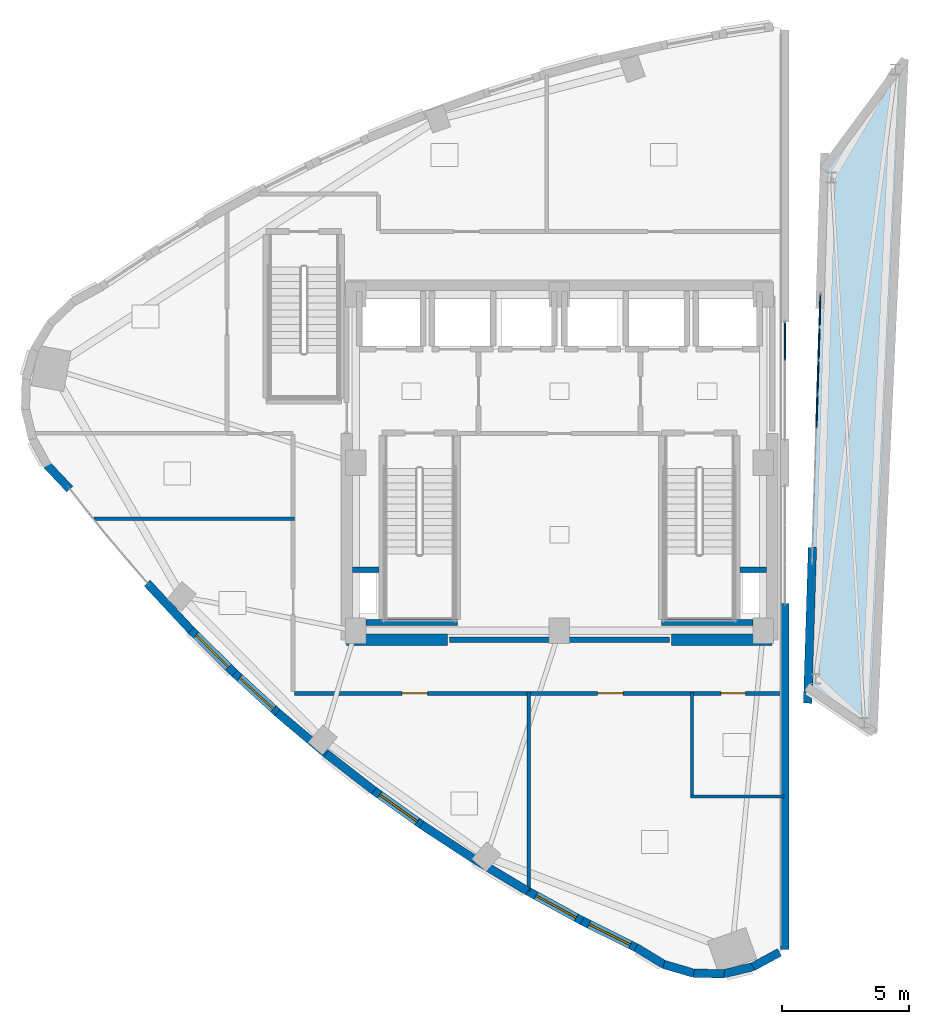
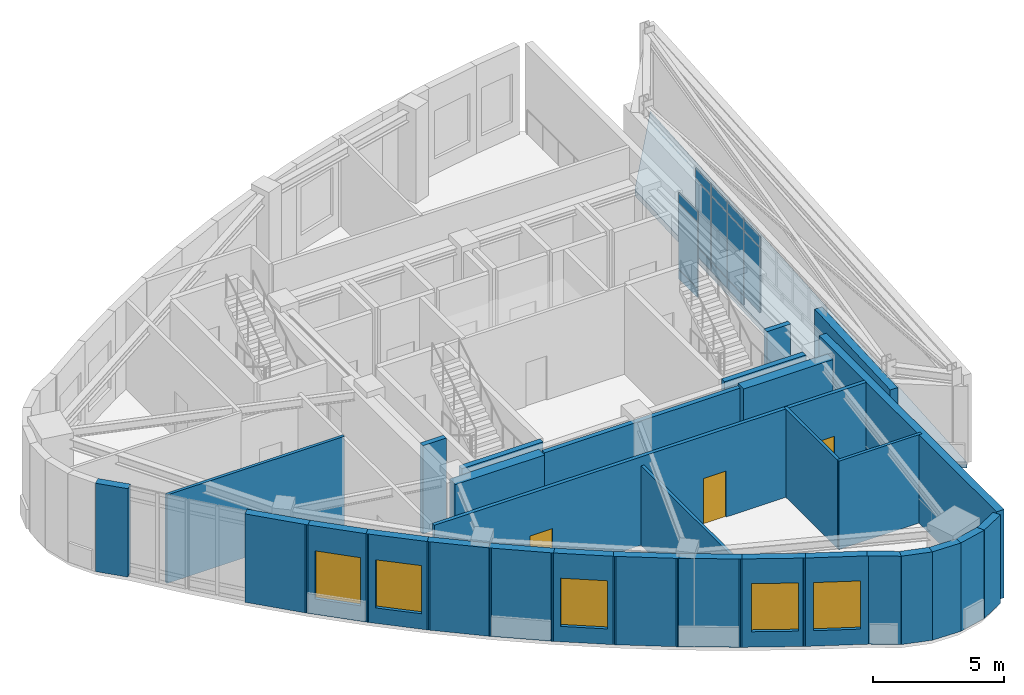
# One storey, part 13 of 19: 30 walls, 14 plates, 5 windows, 3 doors, 1 slab, 8 openings, 2 elements without a shape of their own.
"""IFC4 building model written with IfcOpenShell, lengths in metres."""

from ifc_helpers import new_model, si_unit, direction, frame, frame_2d, origin, origin_2d, place, context, subcontext, project, spatial, polyline, rectangle, outline, extrude, material, layer, layer_set, type_object, element, fill, aggregate, save


model = new_model("IFC4")

# Units and contexts
model_context = context("Model", 3, precision=1e-05, world=origin(), true_north=direction((0.0, 1.0)))
body_context = subcontext(model_context, "Body", "Model", "MODEL_VIEW")
ifc_project = project(units=[si_unit("LENGTHUNIT", "METRE"), si_unit("AREAUNIT", "SQUARE_METRE"), si_unit("VOLUMEUNIT", "CUBIC_METRE"), si_unit("PLANEANGLEUNIT", "RADIAN"), si_unit("MASSUNIT", "GRAM", prefix="KILO")], contexts=[model_context])

# Site, building, storey
site_placement = place(None, origin())
site = spatial("IfcSite", under=ifc_project, at=site_placement, CompositionType="ELEMENT")
building_placement = place(site_placement, origin())
building = spatial("IfcBuilding", under=site, at=building_placement, Name="Ndelora Gate Hotel", CompositionType="ELEMENT")
storey_placement = place(building_placement, frame((0.0, 0.0, 290.39990234375)))
storey = spatial("IfcBuildingStorey", under=building, at=storey_placement, Name="L72", CompositionType="ELEMENT", Elevation=290.39990234375)

# Curtain wall, plates
ifc_material_1 = material(Name="Bronze Anodised Unitised Aluminium and Low-E Glass", Category="aluminium")
ifc_layer_1 = layer(ifc_material_1, 0.199951171875)
ifc_layer_set_1 = layer_set([ifc_layer_1], Name="Bronze Anodised Unitised Aluminium and Low-E Glass")
curtain_wall_type = type_object("IfcCurtainWallType", Name="CW-SYS-8", PredefinedType="NOTDEFINED", material=ifc_layer_set_1)
curtain_wall_1_placement = place(storey_placement, origin())
curtain_wall_1 = element("IfcCurtainWall", 1, at=curtain_wall_1_placement, inside=storey, type_object=curtain_wall_type, Name="L72 Split-Crown West Cleft Lantern Curtain Wall CW8-2", PredefinedType="NOTDEFINED")
ifc_material_2 = material(Name="Solar-Control Low-E Insulated Glazing", Category="glass")
ifc_layer_2 = layer(ifc_material_2, 0.048095703125)
ifc_layer_set_2 = layer_set([ifc_layer_2], Name="Solar-Control Low-E Insulated Glazing")
plate_type = type_object("IfcPlateType", Name="PL-CW-GLZ36", PredefinedType="CURTAIN_PANEL", material=ifc_layer_set_2)
plate_1_placement = place(storey_placement, frame((8.85009765625, 4.760009765625, 0.05419921875), z_axis=(0.0, 0.0, 1.0), x_axis=(0.0, 1.0, 0.0)))
plate_1 = element("IfcPlate", 2, at=plate_1_placement, type_object=plate_type, Name="CW8 panel 3.1", PredefinedType="CURTAIN_PANEL", context=body_context, shape_type="SweptSolid", body=[
    extrude(rectangle(XDim=1.471923828125, YDim=0.048095703125, at=origin_2d()), origin(), (0.0, 0.0, 1.0), 0.422119140625),
])
plate_2_placement = place(storey_placement, frame((8.85009765625, 4.760009765625, 0.52392578125), z_axis=(0.0, 0.0, 1.0), x_axis=(0.0, 1.0, 0.0)))
plate_2 = element("IfcPlate", 3, at=plate_2_placement, type_object=plate_type, Name="CW8 panel 3.2", PredefinedType="CURTAIN_PANEL", context=body_context, shape_type="SweptSolid", body=[
    extrude(rectangle(XDim=1.471923828125, YDim=0.048095703125, at=origin_2d()), origin(), (0.0, 0.0, 1.0), 3.031982421875),
])
plate_3_placement = place(storey_placement, frame((8.85009765625, 4.760009765625, 3.60400390625), z_axis=(0.0, 0.0, 1.0), x_axis=(0.0, 1.0, 0.0)))
plate_3 = element("IfcPlate", 4, at=plate_3_placement, type_object=plate_type, Name="CW8 panel 3.3", PredefinedType="CURTAIN_PANEL", context=body_context, shape_type="SweptSolid", body=[
    extrude(rectangle(XDim=1.471923828125, YDim=0.048095703125, at=origin_2d()), origin(), (0.0, 0.0, 1.0), 0.471923828125),
])
aggregate(curtain_wall_1, [plate_1, plate_2, plate_3])

curtain_wall_2_placement = place(storey_placement, origin())
curtain_wall_2 = element("IfcCurtainWall", 5, at=curtain_wall_2_placement, inside=storey, type_object=curtain_wall_type, Name="L72 Split-Crown East Cleft Lantern Curtain Wall CW8", PredefinedType="NOTDEFINED")
plate_4_placement = place(storey_placement, frame((10.21875, 5.97509765625, 0.05419921875), z_axis=(0.0, 0.0, 1.0), x_axis=(-0.031131345484, -0.999515302198, 0.0)))
plate_4 = element("IfcPlate", 6, at=plate_4_placement, type_object=plate_type, Name="CW8 panel 1.1", PredefinedType="CURTAIN_PANEL", context=body_context, shape_type="SweptSolid", body=[
    extrude(rectangle(XDim=1.24658203125, YDim=0.048095703125, at=origin_2d()), origin(), (0.0, 0.0, 1.0), 0.422119140625),
])
plate_5_placement = place(storey_placement, frame((10.21875, 5.97509765625, 0.52392578125), z_axis=(0.0, 0.0, 1.0), x_axis=(-0.031131345484, -0.999515302198, 0.0)))
plate_5 = element("IfcPlate", 7, at=plate_5_placement, type_object=plate_type, Name="CW8 panel 1.2", PredefinedType="CURTAIN_PANEL", context=body_context, shape_type="SweptSolid", body=[
    extrude(rectangle(XDim=1.24658203125, YDim=0.048095703125, at=origin_2d()), origin(), (0.0, 0.0, 1.0), 3.031982421875),
])
plate_6_placement = place(storey_placement, frame((10.21875, 5.97509765625, 3.60400390625), z_axis=(0.0, 0.0, 1.0), x_axis=(-0.031131345484, -0.999515302198, 0.0)))
plate_6 = element("IfcPlate", 8, at=plate_6_placement, type_object=plate_type, Name="CW8 panel 1.3", PredefinedType="CURTAIN_PANEL", context=body_context, shape_type="SweptSolid", body=[
    extrude(rectangle(XDim=1.24658203125, YDim=0.048095703125, at=origin_2d()), origin(), (0.0, 0.0, 1.0), 0.471923828125),
])
plate_7_placement = place(storey_placement, frame((10.177978515625, 4.666259765625, 0.05419921875), z_axis=(0.0, 0.0, 1.0), x_axis=(-0.031131345484, -0.999515302198, 0.0)))
plate_7 = element("IfcPlate", 9, at=plate_7_placement, type_object=plate_type, Name="CW8 panel 2.1", PredefinedType="CURTAIN_PANEL", context=body_context, shape_type="SweptSolid", body=[
    extrude(rectangle(XDim=1.276611328125, YDim=0.048095703125, at=origin_2d()), origin(), (0.0, 0.0, 1.0), 0.422119140625),
])
plate_8_placement = place(storey_placement, frame((10.177978515625, 4.666259765625, 0.52392578125), z_axis=(0.0, 0.0, 1.0), x_axis=(-0.031131345484, -0.999515302198, 0.0)))
plate_8 = element("IfcPlate", 10, at=plate_8_placement, type_object=plate_type, Name="CW8 panel 2.2", PredefinedType="CURTAIN_PANEL", context=body_context, shape_type="SweptSolid", body=[
    extrude(rectangle(XDim=1.276611328125, YDim=0.048095703125, at=origin_2d()), origin(), (0.0, 0.0, 1.0), 3.031982421875),
])
plate_9_placement = place(storey_placement, frame((10.177978515625, 4.666259765625, 3.60400390625), z_axis=(0.0, 0.0, 1.0), x_axis=(-0.031131345484, -0.999515302198, 0.0)))
plate_9 = element("IfcPlate", 11, at=plate_9_placement, type_object=plate_type, Name="CW8 panel 2.3", PredefinedType="CURTAIN_PANEL", context=body_context, shape_type="SweptSolid", body=[
    extrude(rectangle(XDim=1.276611328125, YDim=0.048095703125, at=origin_2d()), origin(), (0.0, 0.0, 1.0), 0.471923828125),
])
plate_10_placement = place(storey_placement, frame((10.13671875, 3.34228515625, 0.05419921875), z_axis=(0.0, 0.0, 1.0), x_axis=(-0.031131345484, -0.999515302198, 0.0)))
plate_10 = element("IfcPlate", 12, at=plate_10_placement, type_object=plate_type, Name="CW8 panel 3.1", PredefinedType="CURTAIN_PANEL", context=body_context, shape_type="SweptSolid", body=[
    extrude(rectangle(XDim=1.276611328125, YDim=0.048095703125, at=origin_2d()), origin(), (0.0, 0.0, 1.0), 0.422119140625),
])
plate_11_placement = place(storey_placement, frame((10.13671875, 3.34228515625, 0.52392578125), z_axis=(0.0, 0.0, 1.0), x_axis=(-0.031131345484, -0.999515302198, 0.0)))
plate_11 = element("IfcPlate", 13, at=plate_11_placement, type_object=plate_type, Name="CW8 panel 3.2", PredefinedType="CURTAIN_PANEL", context=body_context, shape_type="SweptSolid", body=[
    extrude(rectangle(XDim=1.276611328125, YDim=0.048095703125, at=origin_2d()), origin(), (0.0, 0.0, 1.0), 3.031982421875),
])
plate_12_placement = place(storey_placement, frame((10.13671875, 3.34228515625, 3.60400390625), z_axis=(0.0, 0.0, 1.0), x_axis=(-0.031131345484, -0.999515302198, 0.0)))
plate_12 = element("IfcPlate", 14, at=plate_12_placement, type_object=plate_type, Name="CW8 panel 3.3", PredefinedType="CURTAIN_PANEL", context=body_context, shape_type="SweptSolid", body=[
    extrude(rectangle(XDim=1.276611328125, YDim=0.048095703125, at=origin_2d()), origin(), (0.0, 0.0, 1.0), 0.471923828125),
])
plate_13_placement = place(storey_placement, frame((10.095458984375, 2.018310546875, 0.52392578125), z_axis=(0.0, 0.0, 1.0), x_axis=(-0.031131345484, -0.999515302198, 0.0)))
plate_13 = element("IfcPlate", 15, at=plate_13_placement, type_object=plate_type, Name="CW8 panel 4.2", PredefinedType="CURTAIN_PANEL", context=body_context, shape_type="SweptSolid", body=[
    extrude(rectangle(XDim=1.276611328125, YDim=0.048095703125, at=origin_2d()), origin(), (0.0, 0.0, 1.0), 3.031982421875),
])
plate_14_placement = place(storey_placement, frame((10.095458984375, 2.018310546875, 3.60400390625), z_axis=(0.0, 0.0, 1.0), x_axis=(-0.031131345484, -0.999515302198, 0.0)))
plate_14 = element("IfcPlate", 16, at=plate_14_placement, type_object=plate_type, Name="CW8 panel 4.3", PredefinedType="CURTAIN_PANEL", context=body_context, shape_type="SweptSolid", body=[
    extrude(rectangle(XDim=1.276611328125, YDim=0.048095703125, at=origin_2d()), origin(), (0.0, 0.0, 1.0), 0.471923828125),
])
aggregate(curtain_wall_2, [plate_4, plate_5, plate_6, plate_7, plate_8, plate_9, plate_10, plate_11, plate_12, plate_13, plate_14])

# Slab
ifc_material_3 = material(Name="Concrete C40/50", Category="concrete")
ifc_layer_3 = layer(ifc_material_3, 0.280029296875)
ifc_layer_set_3 = layer_set([ifc_layer_3], Name="Concrete C40/50")
slab_type = type_object("IfcSlabType", Name="SL-ROOF-280", PredefinedType="ROOF", material=ifc_layer_set_3)
slab_placement = place(storey_placement, frame((0.0, 0.0, -0.27978515625)))
element("IfcSlab", 17, at=slab_placement, inside=storey, type_object=slab_type, Name="L72 East Crown Peak Deck", PredefinedType="ROOF", context=body_context, shape_type="SweptSolid", body=[
    extrude(outline(polyline([(9.757568359375, -8.828369140625), (12.306884765625, -10.562255859375), (13.527099609375, 15.7783203125), (10.39208984375, 11.540771484375), (9.757568359375, -8.828369140625)])), origin(), (0.0, 0.0, 1.0), 0.27978515625),
])

# Walls
ifc_material_4 = material(Name="Clay Brick Masonry", Category="masonry")
ifc_layer_4 = layer(ifc_material_4, 0.330078125)
ifc_layer_set_4 = layer_set([ifc_layer_4], Name="Clay Brick Masonry")
wall_type_1 = type_object("IfcWallType", Name="WL-BRICK-330", PredefinedType="SOLIDWALL", material=ifc_layer_set_4)
wall_1_placement = place(storey_placement, frame((8.85009765625, -5.52001953125, 0.0), z_axis=(0.0, 0.0, 1.0), x_axis=(0.0, -1.0, 0.0)))
element("IfcWall", 18, at=wall_1_placement, inside=storey, type_object=wall_type_1, Name="L72 West Crown Canyon Brick Pier 1", PredefinedType="SOLIDWALL", context=body_context, shape_type="SweptSolid", body=[
    extrude(rectangle(XDim=13.590576171875, YDim=0.330078125, at=frame_2d((6.79541015625, 0.0))), origin(), (0.0, 0.0, 1.0), 4.130126953125),
])
wall_2_placement = place(storey_placement, frame((9.738525390625, -9.439453125, 0.0), z_axis=(0.0, 0.0, 1.0), x_axis=(0.031147484759, 0.999514799387, 0.0)))
element("IfcWall", 19, at=wall_2_placement, inside=storey, type_object=wall_type_1, Name="L72 East Crown Canyon Brick Pier 1", PredefinedType="SOLIDWALL", context=body_context, shape_type="SweptSolid", body=[
    extrude(rectangle(XDim=6.11376953125, YDim=0.330078125, at=frame_2d((3.056884765625, 0.0))), origin(), (0.0, 0.0, 1.0), 3.650146484375),
])
wall_3_placement = place(storey_placement, frame((-19.214599609375, -1.038818359375, 0.0), z_axis=(0.0, 0.0, 1.0), x_axis=(-0.687489239636, 0.726194564414, 0.0)))
element("IfcWall", 20, at=wall_3_placement, inside=storey, type_object=wall_type_1, Name="L72 Tower Brick Pier-and-Spandrel Wall WPK-15", PredefinedType="SOLIDWALL", context=body_context, shape_type="SweptSolid", body=[
    extrude(rectangle(XDim=1.29931640625, YDim=0.330078125, at=frame_2d((0.649658203125, 0.0))), origin(), (0.0, 0.0, 1.0), 4.130126953125),
])
wall_4_placement = place(storey_placement, frame((-14.4619140625, -6.572021484375, 0.0), z_axis=(0.0, 0.0, 1.0), x_axis=(-0.681100323402, 0.732190104728, 0.0)))
element("IfcWall", 21, at=wall_4_placement, inside=storey, type_object=wall_type_1, Name="L72 Tower Brick Pier-and-Spandrel Wall WPK-18", PredefinedType="SOLIDWALL", context=body_context, shape_type="SweptSolid", body=[
    extrude(rectangle(XDim=2.523193359375, YDim=0.330078125, at=frame_2d((1.26171875, 0.0))), origin(), (0.0, 0.0, 1.0), 4.130126953125),
])

# Wall, opening, window
wall_5_placement = place(storey_placement, frame((-12.755859375, -8.26171875, 0.0), z_axis=(0.0, 0.0, 1.0), x_axis=(-0.709823779942, 0.704379302243, 0.0)))
wall_5 = element("IfcWall", 22, at=wall_5_placement, inside=storey, type_object=wall_type_1, Name="L72 Tower Brick Pier-and-Spandrel Wall WPK-19", PredefinedType="SOLIDWALL", context=body_context, shape_type="SweptSolid", body=[
    extrude(rectangle(XDim=2.51123046875, YDim=0.330078125, at=frame_2d((1.255615234375, 0.0))), origin(), (0.0, 0.0, 1.0), 4.130126953125),
])
opening_1_placement = place(wall_5_placement, frame((0.32568359375, 0.0, 0.719970703125)))
opening_1 = element("IfcOpeningElement", 23, at=opening_1_placement, cuts=wall_5, Name="Opening W06", PredefinedType="OPENING", context=body_context, shape_type="SweptSolid", body=[
    extrude(rectangle(XDim=1.800048828125, YDim=2.25, at=frame_2d((0.89990234375, 1.125))), frame((0.0, 0.175048828125, 0.0), z_axis=(0.0, -1.0, 0.0), x_axis=(1.0, 0.0, 0.0)), (0.0, 0.0, 1.0), 0.35009765625),
])
ifc_material_5 = material(Name="Insulated Low-E Double Glazing in Bronze Aluminium Frame", Category="aluminium")
window_type = type_object("IfcWindowType", Name="WN-OBS-1800", PartitioningType="SINGLE_PANEL", PredefinedType="WINDOW", material=ifc_material_5)
window_1_placement = place(opening_1_placement, origin())
window_1 = element("IfcWindow", 24, at=window_1_placement, inside=storey, type_object=window_type, Name="L72 Deep-Set Brick-Pier Window W06", OverallHeight=2.25, OverallWidth=1.800048828125, PartitioningType="SINGLE_PANEL", PredefinedType="WINDOW", context=body_context, shape_type="SweptSolid", body=[
    extrude(rectangle(XDim=1.800048828125, YDim=2.25, at=frame_2d((0.89990234375, 1.125))), frame((0.0, 0.030029296875, 0.0), z_axis=(0.0, -1.0, 0.0), x_axis=(1.0, 0.0, 0.0)), (0.0, 0.0, 1.0), 0.06005859375),
])
fill(opening_1, window_1)

wall_6_placement = place(storey_placement, frame((-10.989013671875, -9.876220703125, 0.0), z_axis=(0.0, 0.0, 1.0), x_axis=(-0.737627628948, 0.675207731748, 0.0)))
wall_6 = element("IfcWall", 25, at=wall_6_placement, inside=storey, type_object=wall_type_1, Name="L72 Tower Brick Pier-and-Spandrel Wall WPK-20", PredefinedType="SOLIDWALL", context=body_context, shape_type="SweptSolid", body=[
    extrude(rectangle(XDim=2.503173828125, YDim=0.330078125, at=frame_2d((1.25146484375, 0.0))), origin(), (0.0, 0.0, 1.0), 4.130126953125),
])
opening_2_placement = place(wall_6_placement, frame((0.321533203125, 0.0, 0.719970703125)))
opening_2 = element("IfcOpeningElement", 26, at=opening_2_placement, cuts=wall_6, Name="Opening W06", PredefinedType="OPENING", context=body_context, shape_type="SweptSolid", body=[
    extrude(rectangle(XDim=1.800048828125, YDim=2.25, at=frame_2d((0.89990234375, 1.125))), frame((0.0, 0.175048828125, 0.0), z_axis=(0.0, -1.0, 0.0), x_axis=(1.0, 0.0, 0.0)), (0.0, 0.0, 1.0), 0.35009765625),
])
window_2_placement = place(opening_2_placement, origin())
window_2 = element("IfcWindow", 27, at=window_2_placement, inside=storey, type_object=window_type, Name="L72 Deep-Set Brick-Pier Window W06", OverallHeight=2.25, OverallWidth=1.800048828125, PartitioningType="SINGLE_PANEL", PredefinedType="WINDOW", context=body_context, shape_type="SweptSolid", body=[
    extrude(rectangle(XDim=1.800048828125, YDim=2.25, at=frame_2d((0.89990234375, 1.125))), frame((0.0, 0.030029296875, 0.0), z_axis=(0.0, -1.0, 0.0), x_axis=(1.0, 0.0, 0.0)), (0.0, 0.0, 1.0), 0.06005859375),
])
fill(opening_2, window_2)

# Walls
wall_7_placement = place(storey_placement, frame((-9.161376953125, -11.415283203125, 0.0), z_axis=(0.0, 0.0, 1.0), x_axis=(-0.764315556833, 0.644842406781, 0.0)))
element("IfcWall", 28, at=wall_7_placement, inside=storey, type_object=wall_type_1, Name="L72 Tower Brick Pier-and-Spandrel Wall WPK-21", PredefinedType="SOLIDWALL", context=body_context, shape_type="SweptSolid", body=[
    extrude(rectangle(XDim=2.499267578125, YDim=0.330078125, at=frame_2d((1.24951171875, 0.0))), origin(), (0.0, 0.0, 1.0), 4.130126953125),
])
wall_8_placement = place(storey_placement, frame((-7.27294921875, -12.87890625, 0.0), z_axis=(0.0, 0.0, 1.0), x_axis=(-0.789841179094, 0.613311431336, 0.0)))
element("IfcWall", 29, at=wall_8_placement, inside=storey, type_object=wall_type_1, Name="L72 Tower Brick Pier-and-Spandrel Wall WPK-22", PredefinedType="SOLIDWALL", context=body_context, shape_type="SweptSolid", body=[
    extrude(rectangle(XDim=2.4990234375, YDim=0.330078125, at=frame_2d((1.24951171875, 0.0))), origin(), (0.0, 0.0, 1.0), 4.130126953125),
])

# Wall, opening, window
wall_9_placement = place(storey_placement, frame((-5.323486328125, -14.26708984375, 0.0), z_axis=(0.0, 0.0, 1.0), x_axis=(-0.814029925436, 0.580822933857, 0.0)))
wall_9 = element("IfcWall", 30, at=wall_9_placement, inside=storey, type_object=wall_type_1, Name="L72 Tower Brick Pier-and-Spandrel Wall WPK-23", PredefinedType="SOLIDWALL", context=body_context, shape_type="SweptSolid", body=[
    extrude(rectangle(XDim=2.503173828125, YDim=0.330078125, at=frame_2d((1.25146484375, 0.0))), origin(), (0.0, 0.0, 1.0), 4.130126953125),
])
opening_3_placement = place(wall_9_placement, frame((0.321533203125, 0.0, 0.719970703125)))
opening_3 = element("IfcOpeningElement", 31, at=opening_3_placement, cuts=wall_9, Name="Opening W06", PredefinedType="OPENING", context=body_context, shape_type="SweptSolid", body=[
    extrude(rectangle(XDim=1.800048828125, YDim=2.25, at=frame_2d((0.89990234375, 1.125))), frame((0.0, 0.175048828125, 0.0), z_axis=(0.0, -1.0, 0.0), x_axis=(1.0, 0.0, 0.0)), (0.0, 0.0, 1.0), 0.35009765625),
])
window_3_placement = place(opening_3_placement, origin())
window_3 = element("IfcWindow", 32, at=window_3_placement, inside=storey, type_object=window_type, Name="L72 Deep-Set Brick-Pier Window W06", OverallHeight=2.25, OverallWidth=1.800048828125, PartitioningType="SINGLE_PANEL", PredefinedType="WINDOW", context=body_context, shape_type="SweptSolid", body=[
    extrude(rectangle(XDim=1.800048828125, YDim=2.25, at=frame_2d((0.89990234375, 1.125))), frame((0.0, 0.030029296875, 0.0), z_axis=(0.0, -1.0, 0.0), x_axis=(1.0, 0.0, 0.0)), (0.0, 0.0, 1.0), 0.06005859375),
])
fill(opening_3, window_3)

# Walls
wall_10_placement = place(storey_placement, frame((-3.313232421875, -15.580078125, 0.0), z_axis=(0.0, 0.0, 1.0), x_axis=(-0.836746876737, 0.547589868671, 0.0)))
element("IfcWall", 33, at=wall_10_placement, inside=storey, type_object=wall_type_1, Name="L72 Tower Brick Pier-and-Spandrel Wall WPK-24", PredefinedType="SOLIDWALL", context=body_context, shape_type="SweptSolid", body=[
    extrude(rectangle(XDim=2.510986328125, YDim=0.330078125, at=frame_2d((1.25537109375, 0.0))), origin(), (0.0, 0.0, 1.0), 4.130126953125),
])
wall_11_placement = place(storey_placement, frame((-1.241943359375, -16.818115234375, 0.0), z_axis=(0.0, 0.0, 1.0), x_axis=(-0.857902474262, 0.513812557899, 0.0)))
element("IfcWall", 34, at=wall_11_placement, inside=storey, type_object=wall_type_1, Name="L72 Tower Brick Pier-and-Spandrel Wall WPK-25", PredefinedType="SOLIDWALL", context=body_context, shape_type="SweptSolid", body=[
    extrude(rectangle(XDim=2.523193359375, YDim=0.330078125, at=frame_2d((1.26171875, 0.0))), origin(), (0.0, 0.0, 1.0), 4.130126953125),
])

# Wall, opening, window
wall_12_placement = place(storey_placement, frame((0.890380859375, -17.98046875, 0.0), z_axis=(0.0, 0.0, 1.0), x_axis=(-0.877542510611, 0.479498844702, 0.0)))
wall_12 = element("IfcWall", 35, at=wall_12_placement, inside=storey, type_object=wall_type_1, Name="L72 Tower Brick Pier-and-Spandrel Wall WPK-26", PredefinedType="SOLIDWALL", context=body_context, shape_type="SweptSolid", body=[
    extrude(rectangle(XDim=2.53857421875, YDim=0.330078125, at=frame_2d((1.269287109375, 0.0))), origin(), (0.0, 0.0, 1.0), 4.130126953125),
])
opening_4_placement = place(wall_12_placement, frame((0.260009765625, 0.0, 0.719970703125)))
opening_4 = element("IfcOpeningElement", 36, at=opening_4_placement, cuts=wall_12, Name="Opening W06", PredefinedType="OPENING", context=body_context, shape_type="SweptSolid", body=[
    extrude(rectangle(XDim=1.800048828125, YDim=2.25, at=frame_2d((0.89990234375, 1.125))), frame((0.0, 0.175048828125, 0.0), z_axis=(0.0, -1.0, 0.0), x_axis=(1.0, 0.0, 0.0)), (0.0, 0.0, 1.0), 0.35009765625),
])
window_4_placement = place(opening_4_placement, origin())
window_4 = element("IfcWindow", 37, at=window_4_placement, inside=storey, type_object=window_type, Name="L72 Deep-Set Brick-Pier Window W06", OverallHeight=2.25, OverallWidth=1.800048828125, PartitioningType="SINGLE_PANEL", PredefinedType="WINDOW", context=body_context, shape_type="SweptSolid", body=[
    extrude(rectangle(XDim=1.800048828125, YDim=2.25, at=frame_2d((0.89990234375, 1.125))), frame((0.0, 0.030029296875, 0.0), z_axis=(0.0, -1.0, 0.0), x_axis=(1.0, 0.0, 0.0)), (0.0, 0.0, 1.0), 0.06005859375),
])
fill(opening_4, window_4)

wall_13_placement = place(storey_placement, frame((3.100830078125, -19.078125, 0.0), z_axis=(0.0, 0.0, 1.0), x_axis=(-0.895277941462, 0.445508033073, 0.0)))
wall_13 = element("IfcWall", 38, at=wall_13_placement, inside=storey, type_object=wall_type_1, Name="L72 Tower Brick Pier-and-Spandrel Wall WPK-27", PredefinedType="SOLIDWALL", context=body_context, shape_type="SweptSolid", body=[
    extrude(rectangle(XDim=2.577880859375, YDim=0.330078125, at=frame_2d((1.2890625, 0.0))), origin(), (0.0, 0.0, 1.0), 4.130126953125),
])
opening_5_placement = place(wall_13_placement, frame((0.35888671875, 0.0, 0.719970703125)))
opening_5 = element("IfcOpeningElement", 39, at=opening_5_placement, cuts=wall_13, Name="Opening W06", PredefinedType="OPENING", context=body_context, shape_type="SweptSolid", body=[
    extrude(rectangle(XDim=1.800048828125, YDim=2.25, at=frame_2d((0.89990234375, 1.125))), frame((0.0, 0.175048828125, 0.0), z_axis=(0.0, -1.0, 0.0), x_axis=(1.0, 0.0, 0.0)), (0.0, 0.0, 1.0), 0.35009765625),
])
window_5_placement = place(opening_5_placement, origin())
window_5 = element("IfcWindow", 40, at=window_5_placement, inside=storey, type_object=window_type, Name="L72 Deep-Set Brick-Pier Window W06", OverallHeight=2.25, OverallWidth=1.800048828125, PartitioningType="SINGLE_PANEL", PredefinedType="WINDOW", context=body_context, shape_type="SweptSolid", body=[
    extrude(rectangle(XDim=1.800048828125, YDim=2.25, at=frame_2d((0.89990234375, 1.125))), frame((0.0, 0.030029296875, 0.0), z_axis=(0.0, -1.0, 0.0), x_axis=(1.0, 0.0, 0.0)), (0.0, 0.0, 1.0), 0.06005859375),
])
fill(opening_5, window_5)

# Walls
wall_14_placement = place(storey_placement, frame((4.121826171875, -19.70751953125, 0.0), z_axis=(0.0, 0.0, 1.0), x_axis=(-0.853318707867, 0.521389665034, 0.0)))
element("IfcWall", 41, at=wall_14_placement, inside=storey, type_object=wall_type_1, Name="L72 Tower Brick Pier-and-Spandrel Wall WPK-28", PredefinedType="SOLIDWALL", context=body_context, shape_type="SweptSolid", body=[
    extrude(rectangle(XDim=1.309326171875, YDim=0.330078125, at=frame_2d((0.65478515625, 0.0))), origin(), (0.0, 0.0, 1.0), 4.130126953125),
])
for number, where, z_axis, x_axis, name in (
    (42, (5.27099609375, -20.038330078125, 0.0), (0.0, 0.0, 1.0), (-0.959229011415, 0.282629976578, 0.0), "L72 Tower Brick Pier-and-Spandrel Wall WPK-30"),
    (43, (6.466552734375, -20.060546875, 0.0), (0.0, 0.0, 1.0), (-0.999694943543, 0.024698579996, 0.0), "L72 Tower Brick Pier-and-Spandrel Wall WPK-32"),
):
    element("IfcWall", number, at=place(storey_placement, frame(where, z_axis=z_axis, x_axis=x_axis)), inside=storey, type_object=wall_type_1, Name=name, PredefinedType="SOLIDWALL", context=body_context, shape_type="SweptSolid", body=[
        extrude(rectangle(XDim=1.225830078125, YDim=0.330078125, at=frame_2d((0.61279296875, 0.0))), origin(), (0.0, 0.0, 1.0), 4.130126953125),
    ])
wall_15_placement = place(storey_placement, frame((7.62744140625, -19.7724609375, 0.0), z_axis=(0.0, 0.0, 1.0), x_axis=(-0.97199913572, -0.234984425353, 0.0)))
element("IfcWall", 44, at=wall_15_placement, inside=storey, type_object=wall_type_1, Name="L72 Tower Brick Pier-and-Spandrel Wall WPK-34", PredefinedType="SOLIDWALL", context=body_context, shape_type="SweptSolid", body=[
    extrude(rectangle(XDim=1.22607421875, YDim=0.330078125, at=frame_2d((0.613037109375, 0.0))), origin(), (0.0, 0.0, 1.0), 4.130126953125),
])
wall_16_placement = place(storey_placement, frame((8.640380859375, -19.214111328125, 0.0), z_axis=(0.0, 0.0, 1.0), x_axis=(-0.878860825238, -0.477078242914, 0.0)))
element("IfcWall", 45, at=wall_16_placement, inside=storey, type_object=wall_type_1, Name="L72 Tower Brick Pier-and-Spandrel Wall WPK-36", PredefinedType="SOLIDWALL", context=body_context, shape_type="SweptSolid", body=[
    extrude(rectangle(XDim=1.186767578125, YDim=0.330078125, at=frame_2d((0.59326171875, 0.0))), origin(), (0.0, 0.0, 1.0), 4.130126953125),
])
ifc_material_6 = material(Name="Concrete C50/60", Category="concrete")
ifc_layer_5 = layer(ifc_material_6, 0.449951171875)
ifc_layer_set_5 = layer_set([ifc_layer_5], Name="Concrete C50/60")
wall_type_2 = type_object("IfcWallType", Name="WL-CORE-450", PredefinedType="SHEAR", material=ifc_layer_set_5)
for number, where, z_axis, x_axis, name in (
    (46, (-8.35009765625, -6.949951171875, 0.0), (0.0, 0.0, 1.0), (1.0, 0.0, 0.0), "L72 Core Shear Wall S-W"),
    (47, (4.39990234375, -6.949951171875, 0.0), (0.0, 0.0, 1.0), (1.0, 0.0, 0.0), "L72 Core Shear Wall S-E"),
):
    element("IfcWall", number, at=place(storey_placement, frame(where, z_axis=z_axis, x_axis=x_axis)), inside=storey, type_object=wall_type_2, Name=name, PredefinedType="SHEAR", context=body_context, shape_type="SweptSolid", body=[
        extrude(rectangle(XDim=3.9501953125, YDim=0.449951171875, at=frame_2d((1.97509765625, 0.0))), origin(), (0.0, 0.0, 1.0), 4.130126953125),
    ])
ifc_layer_6 = layer(ifc_material_3, 0.199951171875)
ifc_layer_set_6 = layer_set([ifc_layer_6], Name="Concrete C40/50")
wall_type_3 = type_object("IfcWallType", Name="WL-FIRE-200", PredefinedType="PARTITIONING", material=ifc_layer_set_6)
wall_17_placement = place(storey_placement, frame((-4.320068359375, -6.949951171875, 0.0), z_axis=(0.0, 0.0, 1.0), x_axis=(1.0, 0.0, 0.0)))
element("IfcWall", 48, at=wall_17_placement, inside=storey, type_object=wall_type_3, Name="L72 Interior Wall IW-2", PredefinedType="PARTITIONING", context=body_context, shape_type="SweptSolid", body=[
    extrude(rectangle(XDim=8.64013671875, YDim=0.199951171875, at=frame_2d((4.320068359375, 0.0))), origin(), (0.0, 0.0, 1.0), 4.130126953125),
])

# Wall, openings, doors
ifc_material_7 = material(Name="Fire-Rated Gypsum Stud Partition", Category="gypsum")
ifc_layer_7 = layer(ifc_material_7, 0.159912109375)
ifc_layer_set_7 = layer_set([ifc_layer_7], Name="Fire-Rated Gypsum Stud Partition")
wall_type_4 = type_object("IfcWallType", Name="WL-PART-160", PredefinedType="PARTITIONING", material=ifc_layer_set_7)
wall_18_placement = place(storey_placement, frame((-10.39990234375, -9.050048828125, 0.0), z_axis=(0.0, 0.0, 1.0), x_axis=(1.0, 0.0, 0.0)))
wall_18 = element("IfcWall", 49, at=wall_18_placement, inside=storey, type_object=wall_type_4, Name="L72 Interior Wall IW-4", PredefinedType="PARTITIONING", context=body_context, shape_type="SweptSolid", body=[
    extrude(rectangle(XDim=19.099853515625, YDim=0.159912109375, at=frame_2d((9.5498046875, 0.0))), origin(), (0.0, 0.0, 1.0), 4.130126953125),
])
opening_6_placement = place(wall_18_placement, frame((4.22998046875, 0.0, 0.0)))
opening_6 = element("IfcOpeningElement", 50, at=opening_6_placement, cuts=wall_18, Name="Opening D01", PredefinedType="OPENING", context=body_context, shape_type="SweptSolid", body=[
    extrude(rectangle(XDim=1.0, YDim=2.14990234375, at=frame_2d((0.5, 1.074951171875))), frame((0.0, 0.08984375, 0.0), z_axis=(0.0, -1.0, 0.0), x_axis=(1.0, 0.0, 0.0)), (0.0, 0.0, 1.0), 0.179931640625),
])
opening_7_placement = place(wall_18_placement, frame((11.89990234375, 0.0, 0.0)))
opening_7 = element("IfcOpeningElement", 51, at=opening_7_placement, cuts=wall_18, Name="Opening D01", PredefinedType="OPENING", context=body_context, shape_type="SweptSolid", body=[
    extrude(rectangle(XDim=1.0, YDim=2.14990234375, at=frame_2d((0.5, 1.074951171875))), frame((0.0, 0.08984375, 0.0), z_axis=(0.0, -1.0, 0.0), x_axis=(1.0, 0.0, 0.0)), (0.0, 0.0, 1.0), 0.179931640625),
])
opening_8_placement = place(wall_18_placement, frame((16.7451171875, 0.0, 0.0)))
opening_8 = element("IfcOpeningElement", 52, at=opening_8_placement, cuts=wall_18, Name="Opening D05", PredefinedType="OPENING", context=body_context, shape_type="SweptSolid", body=[
    extrude(rectangle(XDim=0.949951171875, YDim=2.10009765625, at=frame_2d((0.47509765625, 1.050048828125))), frame((0.0, 0.08984375, 0.0), z_axis=(0.0, -1.0, 0.0), x_axis=(1.0, 0.0, 0.0)), (0.0, 0.0, 1.0), 0.179931640625),
])
ifc_material_8 = material(Name="Accessible Restroom Wide-Clearance Door", Category="wood")
door_type_1 = type_object("IfcDoorType", Name="DR-ACC-950", OperationType="SINGLE_SWING_LEFT", PredefinedType="DOOR", material=ifc_material_8)
door_1_placement = place(opening_8_placement, origin())
door_1 = element("IfcDoor", 53, at=door_1_placement, inside=storey, type_object=door_type_1, Name="L72 Accessible WC Door", OperationType="SINGLE_SWING_RIGHT", OverallHeight=2.10009765625, OverallWidth=0.949951171875, PredefinedType="DOOR", context=body_context, shape_type="SweptSolid", body=[
    extrude(rectangle(XDim=0.949951171875, YDim=2.10009765625, at=frame_2d((0.47509765625, 1.050048828125))), frame((0.0, 0.02490234375, 0.0), z_axis=(0.0, -1.0, 0.0), x_axis=(1.0, 0.0, 0.0)), (0.0, 0.0, 1.0), 0.050048828125),
])
fill(opening_8, door_1)
ifc_material_9 = material(Name="Acoustic Hardwood Guest Entrance Door", Category="wood")
door_type_2 = type_object("IfcDoorType", Name="DR-COR-1000", OperationType="SINGLE_SWING_LEFT", PredefinedType="DOOR", material=ifc_material_9)
door_2_placement = place(opening_6_placement, origin())
door_2 = element("IfcDoor", 54, at=door_2_placement, inside=storey, type_object=door_type_2, Name="L72 South-West Summit Dining Room Door", OperationType="SINGLE_SWING_LEFT", OverallHeight=2.14990234375, OverallWidth=1.0, PredefinedType="DOOR", context=body_context, shape_type="SweptSolid", body=[
    extrude(rectangle(XDim=1.0, YDim=2.14990234375, at=frame_2d((0.5, 1.074951171875))), frame((0.0, 0.02490234375, 0.0), z_axis=(0.0, -1.0, 0.0), x_axis=(1.0, 0.0, 0.0)), (0.0, 0.0, 1.0), 0.050048828125),
])
fill(opening_6, door_2)
door_3_placement = place(opening_7_placement, origin())
door_3 = element("IfcDoor", 55, at=door_3_placement, inside=storey, type_object=door_type_2, Name="L72 Summit Study Office Door", OperationType="SINGLE_SWING_RIGHT", OverallHeight=2.14990234375, OverallWidth=1.0, PredefinedType="DOOR", context=body_context, shape_type="SweptSolid", body=[
    extrude(rectangle(XDim=1.0, YDim=2.14990234375, at=frame_2d((0.5, 1.074951171875))), frame((0.0, 0.02490234375, 0.0), z_axis=(0.0, -1.0, 0.0), x_axis=(1.0, 0.0, 0.0)), (0.0, 0.0, 1.0), 0.050048828125),
])
fill(opening_7, door_3)

# Walls
ifc_layer_8 = layer(ifc_material_3, 0.219970703125)
ifc_layer_set_8 = layer_set([ifc_layer_8], Name="Concrete C40/50")
wall_type_5 = type_object("IfcWallType", Name="WL-SHAFT-220", PredefinedType="PARTITIONING", material=ifc_layer_set_8)
for number, where, z_axis, x_axis, name in (
    (56, (-8.125, -4.199951171875, 0.0), (0.0, 0.0, 1.0), (1.0, 0.0, 0.0), "L72 Interior Wall IW-1"),
    (57, (7.090087890625, -4.199951171875, 0.0), (0.0, 0.0, 1.0), (1.0, 0.0, 0.0), "L72 Interior Wall IW-1"),
):
    element("IfcWall", number, at=place(storey_placement, frame(where, z_axis=z_axis, x_axis=x_axis)), inside=storey, type_object=wall_type_5, Name=name, PredefinedType="PARTITIONING", context=body_context, shape_type="SweptSolid", body=[
        extrude(rectangle(XDim=1.034912109375, YDim=0.219970703125, at=frame_2d((0.517578125, 0.0))), origin(), (0.0, 0.0, 1.0), 4.130126953125),
    ])
ifc_layer_9 = layer(ifc_material_6, 0.239990234375)
ifc_layer_set_9 = layer_set([ifc_layer_9], Name="Concrete C50/60")
wall_type_6 = type_object("IfcWallType", Name="WL-STAIR-240", PredefinedType="SHEAR", material=ifc_layer_set_9)
for number, where, z_axis, x_axis, name in (
    (58, (-7.60009765625, -6.27001953125, 0.0), (0.0, 0.0, 1.0), (1.0, 0.0, 0.0), "L72 Stair Core Shear Wall SW-ST"),
    (59, (4.010009765625, -6.27001953125, 0.0), (0.0, 0.0, 1.0), (1.0, 0.0, 0.0), "L72 Stair Core Shear Wall SW-ST"),
):
    element("IfcWall", number, at=place(storey_placement, frame(where, z_axis=z_axis, x_axis=x_axis)), inside=storey, type_object=wall_type_6, Name=name, PredefinedType="SHEAR", context=body_context, shape_type="SweptSolid", body=[
        extrude(rectangle(XDim=3.590087890625, YDim=0.239990234375, at=frame_2d((1.794921875, 0.0))), origin(), (0.0, 0.0, 1.0), 4.130126953125),
    ])
ifc_material_10 = material(Name="Moisture-Resistant Fire-Rated Tile Partition", Category="gypsum")
ifc_layer_10 = layer(ifc_material_10, 0.1298828125)
ifc_layer_set_10 = layer_set([ifc_layer_10], Name="Moisture-Resistant Fire-Rated Tile Partition")
wall_type_7 = type_object("IfcWallType", Name="WL-WET-RATED", PredefinedType="PARTITIONING", material=ifc_layer_set_10)
wall_19_placement = place(storey_placement, frame((-18.260986328125, -2.199951171875, 0.0), z_axis=(0.0, 0.0, 1.0), x_axis=(1.0, 0.0, 0.0)))
element("IfcWall", 60, at=wall_19_placement, inside=storey, type_object=wall_type_7, Name="L72 Interior Wall IW-6", PredefinedType="PARTITIONING", context=body_context, shape_type="SweptSolid", body=[
    extrude(rectangle(XDim=7.861083984375, YDim=0.1298828125, at=frame_2d((3.9306640625, 0.0))), origin(), (0.0, 0.0, 1.0), 4.130126953125),
])
wall_20_placement = place(storey_placement, frame((-1.199951171875, -9.0, 0.0), z_axis=(0.0, 0.0, 1.0), x_axis=(0.0, -1.0, 0.0)))
element("IfcWall", 61, at=wall_20_placement, inside=storey, type_object=wall_type_7, Name="L72 Interior Wall IW-6", PredefinedType="PARTITIONING", context=body_context, shape_type="SweptSolid", body=[
    extrude(rectangle(XDim=7.80419921875, YDim=0.1298828125, at=frame_2d((3.902099609375, 0.0))), origin(), (0.0, 0.0, 1.0), 3.710205078125),
])
wall_21_placement = place(storey_placement, frame((5.199951171875, -9.0, 0.0), z_axis=(0.0, 0.0, 1.0), x_axis=(0.0, -1.0, 0.0)))
element("IfcWall", 62, at=wall_21_placement, inside=storey, type_object=wall_type_7, Name="L72 Interior Wall IW-6", PredefinedType="PARTITIONING", context=body_context, shape_type="SweptSolid", body=[
    extrude(rectangle(XDim=4.10009765625, YDim=0.1298828125, at=frame_2d((2.050048828125, 0.0))), origin(), (0.0, 0.0, 1.0), 4.130126953125),
])
wall_22_placement = place(storey_placement, frame((5.14990234375, -13.10009765625, 0.0), z_axis=(0.0, 0.0, 1.0), x_axis=(1.0, 0.0, 0.0)))
element("IfcWall", 63, at=wall_22_placement, inside=storey, type_object=wall_type_7, Name="L72 Interior Wall IW-6", PredefinedType="PARTITIONING", context=body_context, shape_type="SweptSolid", body=[
    extrude(rectangle(XDim=3.669677734375, YDim=0.1298828125, at=frame_2d((1.8349609375, 0.0))), origin(), (0.0, 0.0, 1.0), 4.130126953125),
])

save(model, "model.ifc")
